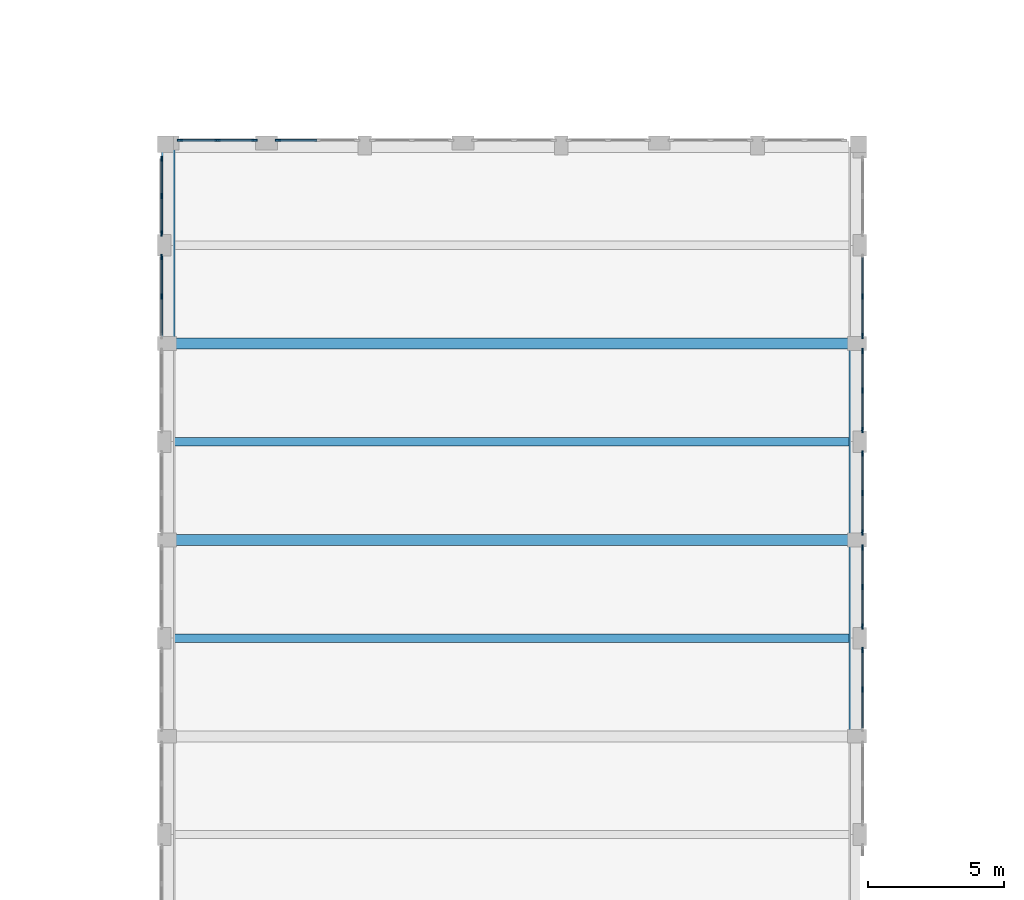
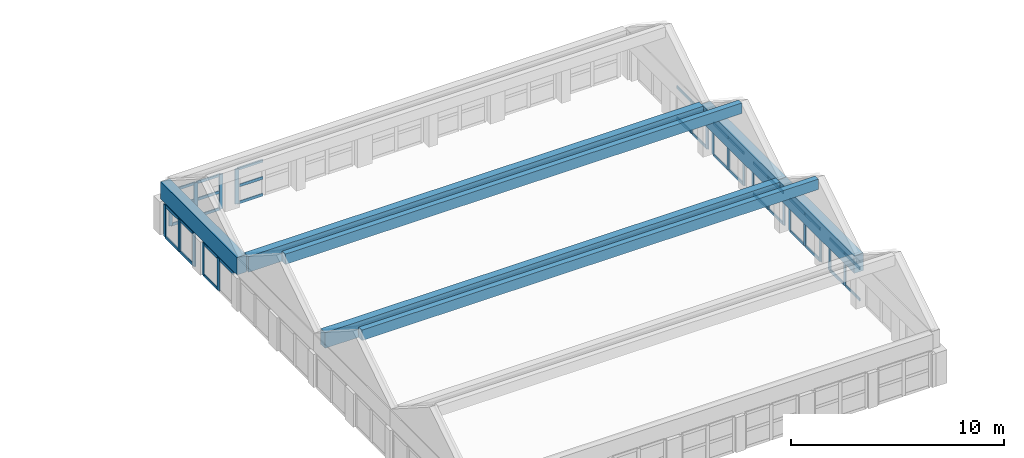
# One storey, part 4 of 38: 58 members, 7 beams, 9 elements without a shape of their own.
"""IFC4 building model written with IfcOpenShell, lengths in metres."""

import ifcopenshell
import ifcopenshell.guid

model = None  # the IFC model being written
_history = None  # IfcOwnerHistory: only IFC2X3 demands one
_inside = {}  # id of a spatial element -> (the spatial element, [elements in it])
_under = {}  # id of a project, library or spatial element -> (it, [spatial elements below it])
_declared = {}  # id of a project -> (the project, [libraries it declares])
_typed = {}  # id of a type object -> (the type object, [elements of that type])
_made_of = {}  # id of a material, layer set ... -> (it, [elements and type objects made of it])


def new_model(schema):
    """Start an empty IFC model of exactly this schema.

    Asked for "IFC4X3", IfcOpenShell would pick the latest addendum, in which some entities
    have other attributes; the version numbers below select the first issue.
    IFC2X3 requires an IfcOwnerHistory on every rooted entity: one is made here for all.
    """
    global model, _history
    if schema == "IFC4X3":
        model = ifcopenshell.file(schema_version=(4, 3, 0, 0))
    else:
        model = ifcopenshell.file(schema=schema)
    _inside.clear()
    _under.clear()
    _declared.clear()
    _typed.clear()
    _made_of.clear()
    _history = None
    if model.schema == "IFC2X3":
        org = make("IfcOrganization", Name="unknown")
        user = make(
            "IfcPersonAndOrganization",
            ThePerson=make("IfcPerson", FamilyName="unknown"),
            TheOrganization=org,
        )
        app = make(
            "IfcApplication",
            ApplicationDeveloper=org,
            Version="unknown",
            ApplicationFullName="unknown",
            ApplicationIdentifier="unknown",
        )
        _history = make(
            "IfcOwnerHistory",
            OwningUser=user,
            OwningApplication=app,
            ChangeAction="ADDED",
            CreationDate=0,
        )
    return model


def make(cls, **values):
    """One entity of the class cls with the attributes given. An attribute that is None is left unset."""
    return model.create_entity(
        cls, **{name: value for name, value in values.items() if value is not None}
    )


def rooted(cls, **values):
    """An entity with a GlobalId (a new one), such as an element, a storey or a relation."""
    return make(cls, GlobalId=ifcopenshell.guid.new(), OwnerHistory=_history, **values)


def si_unit(unit_type, name, prefix=None):
    """IfcSIUnit, for example si_unit("LENGTHUNIT", "METRE", prefix="MILLI")."""
    return make("IfcSIUnit", UnitType=unit_type, Prefix=prefix, Name=name)


def assignment(units):
    """IfcUnitAssignment: the units of a project."""
    return None if units is None else make("IfcUnitAssignment", Units=units)


def point(xyz):
    """IfcCartesianPoint."""
    return None if xyz is None else make("IfcCartesianPoint", Coordinates=xyz)


def direction(xyz):
    """IfcDirection."""
    return None if xyz is None else make("IfcDirection", DirectionRatios=xyz)


def frame(location, z_axis=None, x_axis=None):
    """IfcAxis2Placement3D, a coordinate frame: its origin and axes. An axis left out is left unset."""
    return make(
        "IfcAxis2Placement3D",
        Location=point(location),
        Axis=direction(z_axis),
        RefDirection=direction(x_axis),
    )


def frame_2d(location, x_axis=None):
    """IfcAxis2Placement2D, a coordinate frame in the plane: its origin and x axis."""
    return make(
        "IfcAxis2Placement2D", Location=point(location), RefDirection=direction(x_axis)
    )


def origin():
    """The frame at (0, 0, 0) with its axes left unset."""
    return frame((0.0, 0.0, 0.0))


def origin_2d():
    """The frame at (0, 0) in the plane with its x axis left unset."""
    return frame_2d((0.0, 0.0))


def place(relative_to, where):
    """IfcLocalPlacement: puts the frame where relative to a parent placement (None: the world)."""
    return make(
        "IfcLocalPlacement", PlacementRelTo=relative_to, RelativePlacement=where
    )


def context(
    kind, dimensions, precision=None, world=None, true_north=None, identifier=None
):
    """IfcGeometricRepresentationContext, for example the 3D "Model" context."""
    return make(
        "IfcGeometricRepresentationContext",
        ContextIdentifier=identifier,
        ContextType=kind,
        CoordinateSpaceDimension=dimensions,
        Precision=precision,
        WorldCoordinateSystem=world,
        TrueNorth=true_north,
    )


def subcontext(parent, identifier, kind, view, scale=None):
    """IfcGeometricRepresentationSubContext, for example "Body" below "Model"."""
    return make(
        "IfcGeometricRepresentationSubContext",
        ContextIdentifier=identifier,
        ContextType=kind,
        ParentContext=parent,
        TargetScale=scale,
        TargetView=view,
    )


def project(units=None, contexts=None):
    """IfcProject with its units and contexts."""
    return rooted(
        "IfcProject",
        Name="project",
        RepresentationContexts=contexts,
        UnitsInContext=assignment(units),
    )


def spatial(cls, under=None, at=None, **own):
    """A site, building, storey or space (cls), placed at a placement, below another one or the project."""
    s = rooted(cls, ObjectPlacement=at, **own)
    if under is not None:
        _under.setdefault(under.id(), (under, []))[1].append(s)
    return s


def profile(cls, at=None, kind="AREA", **sizes):
    """A parametric profile (cls). Its sizes go by their IFC names, for example OverallWidth=200.0."""
    return make(cls, ProfileType=kind, Position=at, **sizes)


def rectangle(**sizes):
    """IfcRectangleProfileDef."""
    return profile("IfcRectangleProfileDef", **sizes)


def extrude(swept, where, along, depth):
    """IfcExtrudedAreaSolid: the profile swept, set in the frame where, extruded along a direction by depth."""
    return make(
        "IfcExtrudedAreaSolid",
        SweptArea=swept,
        Position=where,
        ExtrudedDirection=direction(along),
        Depth=depth,
    )


def shape(context_of_items, identifier, shape_type, items):
    """IfcShapeRepresentation: the items that make up one representation, for example the "Body"."""
    return make(
        "IfcShapeRepresentation",
        ContextOfItems=context_of_items,
        RepresentationIdentifier=identifier,
        RepresentationType=shape_type,
        Items=items,
    )


def material(Name=None, Category=None):
    """IfcMaterial."""
    return make("IfcMaterial", Name=Name, Category=Category)


def layer(
    of_material, thickness, ventilated=None, Name=None, Category=None, Priority=None
):
    """IfcMaterialLayer: one layer of a wall or slab, of a material (None: an air gap)."""
    return make(
        "IfcMaterialLayer",
        Material=of_material,
        LayerThickness=thickness,
        IsVentilated=ventilated,
        Name=Name,
        Category=Category,
        Priority=Priority,
    )


def layer_set(layers, Name=None):
    """IfcMaterialLayerSet."""
    return make("IfcMaterialLayerSet", MaterialLayers=layers, LayerSetName=Name)


def material_profile(
    of_material, cross_section, Name=None, Category=None, Priority=None
):
    """IfcMaterialProfile: a cross section and its material."""
    return make(
        "IfcMaterialProfile",
        Name=Name,
        Material=of_material,
        Profile=cross_section,
        Priority=Priority,
        Category=Category,
    )


def profile_set(profiles, Name=None, composite=None):
    """IfcMaterialProfileSet."""
    return make(
        "IfcMaterialProfileSet",
        Name=Name,
        MaterialProfiles=profiles,
        CompositeProfile=composite,
    )


def made_of(thing, what):
    """Note that an element or type object is made of a material, layer set ...; save() writes the relation."""
    if what is not None:
        _made_of.setdefault(what.id(), (what, []))[1].append(thing)
    return thing


def type_object(cls, material=None, **own):
    """A type object (cls), such as IfcWallType, which elements share."""
    return made_of(rooted(cls, **own), material)


def element(
    cls,
    number,
    at=None,
    inside=None,
    cuts=None,
    type_object=None,
    material=None,
    context=None,
    identifier="Body",
    shape_type=None,
    held_by="IfcProductDefinitionShape",
    body=None,
    shapes=None,
    **own,
):
    """One element of the class cls, such as IfcWall. Its Tag is "e" and its number.

    at: its placement. inside: the storey or other place that contains it. cuts: it is an
    opening in that element (IfcRelVoidsElement). A single representation is given by context,
    identifier, shape_type and body (its items); several are given by shapes. held_by: the class
    of the entity that holds the representations. save() writes the other relations.
    """
    e = rooted(cls, Tag="e%d" % number, ObjectPlacement=at, **own)
    if body is not None:
        shapes = [shape(context, identifier, shape_type, body)]
    if shapes is not None:
        e.Representation = make(held_by, Representations=shapes)
    if inside is not None:
        _inside.setdefault(inside.id(), (inside, []))[1].append(e)
    if cuts is not None:
        rooted(
            "IfcRelVoidsElement", RelatingBuildingElement=cuts, RelatedOpeningElement=e
        )
    if type_object is not None:
        _typed.setdefault(type_object.id(), (type_object, []))[1].append(e)
    return made_of(e, material)


def aggregate(whole, parts):
    """IfcRelAggregates: a whole, such as a stair, and the parts it consists of."""
    return rooted("IfcRelAggregates", RelatingObject=whole, RelatedObjects=parts)


def save(model, path):
    """Write the relations noted so far, then the file.

    IfcRelAggregates (storeys below a building ...), IfcRelContainedInSpatialStructure (elements
    in a storey), IfcRelDefinesByType, IfcRelAssociatesMaterial and IfcRelDeclares: one each for
    every whole, place, type object, material and project.
    """
    for whole, parts in _under.values():
        aggregate(whole, parts)
    for where, things in _inside.values():
        rooted(
            "IfcRelContainedInSpatialStructure",
            RelatedElements=things,
            RelatingStructure=where,
        )
    for kind, things in _typed.values():
        rooted("IfcRelDefinesByType", RelatedObjects=things, RelatingType=kind)
    for what, things in _made_of.values():
        rooted("IfcRelAssociatesMaterial", RelatedObjects=things, RelatingMaterial=what)
    for by, libraries in _declared.values():
        rooted("IfcRelDeclares", RelatingContext=by, RelatedDefinitions=libraries)
    model.write(path)


model = new_model("IFC4")

# Units and contexts
model_context = context("Model", 3, precision=1e-05, world=origin(), true_north=direction((0.0, 1.0)))
body_context = subcontext(model_context, "Body", "Model", "MODEL_VIEW")
ifc_project = project(units=[si_unit("LENGTHUNIT", "METRE"), si_unit("AREAUNIT", "SQUARE_METRE"), si_unit("VOLUMEUNIT", "CUBIC_METRE"), si_unit("PLANEANGLEUNIT", "RADIAN"), si_unit("MASSUNIT", "GRAM", prefix="KILO")], contexts=[model_context])

# Site, building, storey
site_placement = place(None, origin())
site = spatial("IfcSite", under=ifc_project, at=site_placement, CompositionType="ELEMENT")
building_placement = place(site_placement, origin())
building = spatial("IfcBuilding", under=site, at=building_placement, Name="Ussher Court Research Institute", CompositionType="ELEMENT")
storey_placement = place(building_placement, frame((0.0, 0.0, 23.39990234375)))
storey = spatial("IfcBuildingStorey", under=building, at=storey_placement, Name="L05", CompositionType="ELEMENT", Elevation=23.39990234375)

# Curtain wall, members
ifc_material_1 = material(Name="Bronze anodised aluminium with low-e glass", Category="aluminium")
ifc_layer = layer(ifc_material_1, 0.159912109375)
ifc_layer_set = layer_set([ifc_layer], Name="Bronze anodised aluminium with low-e glass")
curtain_wall_type = type_object("IfcCurtainWallType", Name="Curtain wall atrium clerestory tall glazing", PredefinedType="NOTDEFINED", material=ifc_layer_set)
curtain_wall_1_placement = place(storey_placement, origin())
curtain_wall_1 = element("IfcCurtainWall", 1, at=curtain_wall_1_placement, inside=storey, type_object=curtain_wall_type, Name="Curtain wall CW3 L05", PredefinedType="NOTDEFINED")
ifc_material_2 = material(Name="Bronze anodised aluminium", Category="aluminium")
ifc_material_profile_1 = material_profile(ifc_material_2, rectangle(XDim=0.06005859375, YDim=0.199951171875, at=origin_2d()), Name="Mullion 60x200")
ifc_profile_set_1 = profile_set([ifc_material_profile_1], Name="Bronze anodised aluminium")
member_type_1 = type_object("IfcMemberType", Name="Mullion 60x200", PredefinedType="MULLION", material=ifc_profile_set_1)
member_1_placement = place(storey_placement, frame((64.449951171875, 34.52490234375, 0.0), z_axis=(0.0, 0.0, 1.0), x_axis=(1.0, 0.0, 0.0)))
member_1 = element("IfcMember", 2, at=member_1_placement, type_object=member_type_1, Name="CW3 mullion 2", PredefinedType="MULLION", context=body_context, shape_type="SweptSolid", body=[
    extrude(rectangle(XDim=0.06005859375, YDim=0.199951171875, at=origin_2d()), origin(), (0.0, 0.0, 1.0), 1.85009765625),
])
member_2_placement = place(storey_placement, frame((64.449951171875, 33.080078125, 0.0), z_axis=(0.0, 0.0, 1.0), x_axis=(1.0, 0.0, 0.0)))
member_2 = element("IfcMember", 3, at=member_2_placement, type_object=member_type_1, Name="CW3 mullion 3", PredefinedType="MULLION", context=body_context, shape_type="SweptSolid", body=[
    extrude(rectangle(XDim=0.06005859375, YDim=0.199951171875, at=origin_2d()), origin(), (0.0, 0.0, 1.0), 1.85009765625),
])

curtain_wall_2_placement = place(storey_placement, origin())
curtain_wall_2 = element("IfcCurtainWall", 4, at=curtain_wall_2_placement, inside=storey, type_object=curtain_wall_type, Name="Curtain wall CW3 L05", PredefinedType="NOTDEFINED")
member_3_placement = place(storey_placement, frame((64.449951171875, 32.52001953125, 0.0), z_axis=(0.0, 0.0, 1.0), x_axis=(1.0, 0.0, 0.0)))
member_3 = element("IfcMember", 5, at=member_3_placement, type_object=member_type_1, Name="CW3 mullion 1", PredefinedType="MULLION", context=body_context, shape_type="SweptSolid", body=[
    extrude(rectangle(XDim=0.06005859375, YDim=0.199951171875, at=origin_2d()), origin(), (0.0, 0.0, 1.0), 1.85009765625),
])
member_4_placement = place(storey_placement, frame((64.449951171875, 31.074951171875, 0.0), z_axis=(0.0, 0.0, 1.0), x_axis=(1.0, 0.0, 0.0)))
member_4 = element("IfcMember", 6, at=member_4_placement, type_object=member_type_1, Name="CW3 mullion 2", PredefinedType="MULLION", context=body_context, shape_type="SweptSolid", body=[
    extrude(rectangle(XDim=0.06005859375, YDim=0.199951171875, at=origin_2d()), origin(), (0.0, 0.0, 1.0), 1.85009765625),
])
member_5_placement = place(storey_placement, frame((64.449951171875, 29.6298828125, 0.0), z_axis=(0.0, 0.0, 1.0), x_axis=(1.0, 0.0, 0.0)))
member_5 = element("IfcMember", 7, at=member_5_placement, type_object=member_type_1, Name="CW3 mullion 3", PredefinedType="MULLION", context=body_context, shape_type="SweptSolid", body=[
    extrude(rectangle(XDim=0.06005859375, YDim=0.199951171875, at=origin_2d()), origin(), (0.0, 0.0, 1.0), 1.85009765625),
])

curtain_wall_3_placement = place(storey_placement, origin())
curtain_wall_3 = element("IfcCurtainWall", 8, at=curtain_wall_3_placement, inside=storey, type_object=curtain_wall_type, Name="Curtain wall CW3 L05", PredefinedType="NOTDEFINED")
member_6_placement = place(storey_placement, frame((64.449951171875, 28.77001953125, 0.0), z_axis=(0.0, 0.0, 1.0), x_axis=(1.0, 0.0, 0.0)))
member_6 = element("IfcMember", 9, at=member_6_placement, type_object=member_type_1, Name="CW3 mullion 1", PredefinedType="MULLION", context=body_context, shape_type="SweptSolid", body=[
    extrude(rectangle(XDim=0.06005859375, YDim=0.199951171875, at=origin_2d()), origin(), (0.0, 0.0, 1.0), 1.85009765625),
])
member_7_placement = place(storey_placement, frame((64.449951171875, 27.324951171875, 0.0), z_axis=(0.0, 0.0, 1.0), x_axis=(1.0, 0.0, 0.0)))
member_7 = element("IfcMember", 10, at=member_7_placement, type_object=member_type_1, Name="CW3 mullion 2", PredefinedType="MULLION", context=body_context, shape_type="SweptSolid", body=[
    extrude(rectangle(XDim=0.06005859375, YDim=0.199951171875, at=origin_2d()), origin(), (0.0, 0.0, 1.0), 1.85009765625),
])
member_8_placement = place(storey_placement, frame((64.449951171875, 25.8798828125, 0.0), z_axis=(0.0, 0.0, 1.0), x_axis=(1.0, 0.0, 0.0)))
member_8 = element("IfcMember", 11, at=member_8_placement, type_object=member_type_1, Name="CW3 mullion 3", PredefinedType="MULLION", context=body_context, shape_type="SweptSolid", body=[
    extrude(rectangle(XDim=0.06005859375, YDim=0.199951171875, at=origin_2d()), origin(), (0.0, 0.0, 1.0), 1.85009765625),
])

curtain_wall_4_placement = place(storey_placement, origin())
curtain_wall_4 = element("IfcCurtainWall", 12, at=curtain_wall_4_placement, inside=storey, type_object=curtain_wall_type, Name="Curtain wall CW3 L05", PredefinedType="NOTDEFINED")
member_9_placement = place(storey_placement, frame((64.449951171875, 25.320068359375, 0.0), z_axis=(0.0, 0.0, 1.0), x_axis=(1.0, 0.0, 0.0)))
member_9 = element("IfcMember", 13, at=member_9_placement, type_object=member_type_1, Name="CW3 mullion 1", PredefinedType="MULLION", context=body_context, shape_type="SweptSolid", body=[
    extrude(rectangle(XDim=0.06005859375, YDim=0.199951171875, at=origin_2d()), origin(), (0.0, 0.0, 1.0), 1.85009765625),
])
member_10_placement = place(storey_placement, frame((64.449951171875, 23.875, 0.0), z_axis=(0.0, 0.0, 1.0), x_axis=(1.0, 0.0, 0.0)))
member_10 = element("IfcMember", 14, at=member_10_placement, type_object=member_type_1, Name="CW3 mullion 2", PredefinedType="MULLION", context=body_context, shape_type="SweptSolid", body=[
    extrude(rectangle(XDim=0.06005859375, YDim=0.199951171875, at=origin_2d()), origin(), (0.0, 0.0, 1.0), 1.85009765625),
])
member_11_placement = place(storey_placement, frame((64.449951171875, 22.429931640625, 0.0), z_axis=(0.0, 0.0, 1.0), x_axis=(1.0, 0.0, 0.0)))
member_11 = element("IfcMember", 15, at=member_11_placement, type_object=member_type_1, Name="CW3 mullion 3", PredefinedType="MULLION", context=body_context, shape_type="SweptSolid", body=[
    extrude(rectangle(XDim=0.06005859375, YDim=0.199951171875, at=origin_2d()), origin(), (0.0, 0.0, 1.0), 1.85009765625),
])

curtain_wall_5_placement = place(storey_placement, origin())
curtain_wall_5 = element("IfcCurtainWall", 16, at=curtain_wall_5_placement, inside=storey, type_object=curtain_wall_type, Name="Curtain wall CW3 L05", PredefinedType="NOTDEFINED")
member_12_placement = place(storey_placement, frame((64.449951171875, 21.570068359375, 0.0), z_axis=(0.0, 0.0, 1.0), x_axis=(1.0, 0.0, 0.0)))
member_12 = element("IfcMember", 17, at=member_12_placement, type_object=member_type_1, Name="CW3 mullion 1", PredefinedType="MULLION", context=body_context, shape_type="SweptSolid", body=[
    extrude(rectangle(XDim=0.06005859375, YDim=0.199951171875, at=origin_2d()), origin(), (0.0, 0.0, 1.0), 1.85009765625),
])
member_13_placement = place(storey_placement, frame((64.449951171875, 20.125, 0.0), z_axis=(0.0, 0.0, 1.0), x_axis=(1.0, 0.0, 0.0)))
member_13 = element("IfcMember", 18, at=member_13_placement, type_object=member_type_1, Name="CW3 mullion 2", PredefinedType="MULLION", context=body_context, shape_type="SweptSolid", body=[
    extrude(rectangle(XDim=0.06005859375, YDim=0.199951171875, at=origin_2d()), origin(), (0.0, 0.0, 1.0), 1.85009765625),
])

curtain_wall_6_placement = place(storey_placement, origin())
curtain_wall_6 = element("IfcCurtainWall", 19, at=curtain_wall_6_placement, inside=storey, type_object=curtain_wall_type, Name="Curtain wall CW3 L05", PredefinedType="NOTDEFINED")
member_14_placement = place(storey_placement, frame((38.75, 34.52490234375, 0.0), z_axis=(0.0, 0.0, 1.0), x_axis=(-1.0, 0.0, 0.0)))
member_14 = element("IfcMember", 20, at=member_14_placement, type_object=member_type_1, Name="CW3 mullion 2", PredefinedType="MULLION", context=body_context, shape_type="SweptSolid", body=[
    extrude(rectangle(XDim=0.06005859375, YDim=0.199951171875, at=origin_2d()), origin(), (0.0, 0.0, 1.0), 1.85009765625),
])
member_15_placement = place(storey_placement, frame((38.75, 35.969970703125, 0.0), z_axis=(0.0, 0.0, 1.0), x_axis=(-1.0, 0.0, 0.0)))
member_15 = element("IfcMember", 21, at=member_15_placement, type_object=member_type_1, Name="CW3 mullion 3", PredefinedType="MULLION", context=body_context, shape_type="SweptSolid", body=[
    extrude(rectangle(XDim=0.06005859375, YDim=0.199951171875, at=origin_2d()), origin(), (0.0, 0.0, 1.0), 1.85009765625),
])

curtain_wall_7_placement = place(storey_placement, origin())
curtain_wall_7 = element("IfcCurtainWall", 22, at=curtain_wall_7_placement, inside=storey, type_object=curtain_wall_type, Name="Curtain wall CW3 L05", PredefinedType="NOTDEFINED")
member_16_placement = place(storey_placement, frame((38.75, 36.830078125, 0.0), z_axis=(0.0, 0.0, 1.0), x_axis=(-1.0, 0.0, 0.0)))
member_16 = element("IfcMember", 23, at=member_16_placement, type_object=member_type_1, Name="CW3 mullion 1", PredefinedType="MULLION", context=body_context, shape_type="SweptSolid", body=[
    extrude(rectangle(XDim=0.06005859375, YDim=0.199951171875, at=origin_2d()), origin(), (0.0, 0.0, 1.0), 1.85009765625),
])
member_17_placement = place(storey_placement, frame((38.75, 38.199951171875, 0.0), z_axis=(0.0, 0.0, 1.0), x_axis=(-1.0, 0.0, 0.0)))
member_17 = element("IfcMember", 24, at=member_17_placement, type_object=member_type_1, Name="CW3 mullion 2", PredefinedType="MULLION", context=body_context, shape_type="SweptSolid", body=[
    extrude(rectangle(XDim=0.06005859375, YDim=0.199951171875, at=origin_2d()), origin(), (0.0, 0.0, 1.0), 1.85009765625),
])
member_18_placement = place(storey_placement, frame((38.75, 39.570068359375, 0.0), z_axis=(0.0, 0.0, 1.0), x_axis=(-1.0, 0.0, 0.0)))
member_18 = element("IfcMember", 25, at=member_18_placement, type_object=member_type_1, Name="CW3 mullion 3", PredefinedType="MULLION", context=body_context, shape_type="SweptSolid", body=[
    extrude(rectangle(XDim=0.06005859375, YDim=0.199951171875, at=origin_2d()), origin(), (0.0, 0.0, 1.0), 1.85009765625),
])

curtain_wall_8_placement = place(storey_placement, origin())
curtain_wall_8 = element("IfcCurtainWall", 26, at=curtain_wall_8_placement, inside=storey, type_object=curtain_wall_type, Name="Curtain wall CW3 L05", PredefinedType="NOTDEFINED")
member_19_placement = place(storey_placement, frame((39.429931640625, 40.25, 0.0), z_axis=(0.0, 0.0, 1.0), x_axis=(0.0, 1.0, 0.0)))
member_19 = element("IfcMember", 27, at=member_19_placement, type_object=member_type_1, Name="CW3 mullion 1", PredefinedType="MULLION", context=body_context, shape_type="SweptSolid", body=[
    extrude(rectangle(XDim=0.06005859375, YDim=0.199951171875, at=origin_2d()), origin(), (0.0, 0.0, 1.0), 2.0),
])
member_20_placement = place(storey_placement, frame((40.800048828125, 40.25, 0.0), z_axis=(0.0, 0.0, 1.0), x_axis=(0.0, 1.0, 0.0)))
member_20 = element("IfcMember", 28, at=member_20_placement, type_object=member_type_1, Name="CW3 mullion 2", PredefinedType="MULLION", context=body_context, shape_type="SweptSolid", body=[
    extrude(rectangle(XDim=0.06005859375, YDim=0.199951171875, at=origin_2d()), origin(), (0.0, 0.0, 1.0), 2.0),
])
member_21_placement = place(storey_placement, frame((42.169921875, 40.25, 0.0), z_axis=(0.0, 0.0, 1.0), x_axis=(0.0, 1.0, 0.0)))
member_21 = element("IfcMember", 29, at=member_21_placement, type_object=member_type_1, Name="CW3 mullion 3", PredefinedType="MULLION", context=body_context, shape_type="SweptSolid", body=[
    extrude(rectangle(XDim=0.06005859375, YDim=0.199951171875, at=origin_2d()), origin(), (0.0, 0.0, 1.0), 2.0),
])

# Curtain wall, member
curtain_wall_9_placement = place(storey_placement, origin())
curtain_wall_9 = element("IfcCurtainWall", 30, at=curtain_wall_9_placement, inside=storey, type_object=curtain_wall_type, Name="Curtain wall CW3 L05", PredefinedType="NOTDEFINED")
member_22_placement = place(storey_placement, frame((43.030029296875, 40.25, 0.0), z_axis=(0.0, 0.0, 1.0), x_axis=(0.0, 1.0, 0.0)))
member_22 = element("IfcMember", 31, at=member_22_placement, type_object=member_type_1, Name="CW3 mullion 1", PredefinedType="MULLION", context=body_context, shape_type="SweptSolid", body=[
    extrude(rectangle(XDim=0.06005859375, YDim=0.199951171875, at=origin_2d()), origin(), (0.0, 0.0, 1.0), 2.0),
])

# Beams
ifc_material_3 = material(Name="Concrete C35/45", Category="concrete")
ifc_material_profile_2 = material_profile(ifc_material_3, rectangle(XDim=0.300048828125, YDim=0.60009765625, at=origin_2d()), Name="RC 300x600")
ifc_profile_set_2 = profile_set([ifc_material_profile_2], Name="Concrete C35/45")
beam_type_1 = type_object("IfcBeamType", Name="RC 300x600 beam", PredefinedType="BEAM", material=ifc_profile_set_2)
for number, where, z_axis, x_axis, name in (
    (32, (39.199951171875, 22.0, 4.919677734375), (1.0, 0.0, 0.0), (0.0, 1.0, 0.0), "B3 V2 L05-02"),
    (33, (39.199951171875, 29.199951171875, 4.919677734375), (1.0, 0.0, 0.0), (0.0, 1.0, 0.0), "B3 V2 L05-03"),
):
    element("IfcBeam", number, at=place(storey_placement, frame(where, z_axis=z_axis, x_axis=x_axis)), inside=storey, type_object=beam_type_1, Name=name, PredefinedType="BEAM", context=body_context, shape_type="SweptSolid", body=[
        extrude(rectangle(XDim=0.300048828125, YDim=0.60009765625, at=origin_2d()), origin(), (0.0, 0.0, 1.0), 24.800048828125),
    ])
ifc_material_4 = material(Name="Concrete C35/45", Category="concrete")
ifc_material_profile_3 = material_profile(ifc_material_4, rectangle(XDim=0.39990234375, YDim=0.89990234375, at=origin_2d()), Name="RC 400x900")
ifc_profile_set_3 = profile_set([ifc_material_profile_3], Name="Concrete C35/45")
beam_type_2 = type_object("IfcBeamType", Name="RC 400x900 beam", PredefinedType="BEAM", material=ifc_profile_set_3)
for number, where, z_axis, x_axis, name in (
    (34, (39.25, 25.60009765625, 2.455322265625), (1.0, 0.0, 0.0), (0.0, 1.0, 0.0), "B8 V2 L05-03"),
    (35, (39.25, 32.800048828125, 2.455322265625), (1.0, 0.0, 0.0), (0.0, 1.0, 0.0), "B8 V2 L05-04"),
):
    element("IfcBeam", number, at=place(storey_placement, frame(where, z_axis=z_axis, x_axis=x_axis)), inside=storey, type_object=beam_type_2, Name=name, PredefinedType="BEAM", context=body_context, shape_type="SweptSolid", body=[
        extrude(rectangle(XDim=0.39990234375, YDim=0.89990234375, at=origin_2d()), origin(), (0.0, 0.0, 1.0), 24.699951171875),
    ])
ifc_material_5 = material(Name="Concrete C35/45", Category="concrete")
ifc_material_profile_4 = material_profile(ifc_material_5, rectangle(XDim=0.5, YDim=1.0, at=origin_2d()), Name="RC 500x1000")
ifc_profile_set_4 = profile_set([ifc_material_profile_4], Name="Concrete C35/45")
beam_type_3 = type_object("IfcBeamType", Name="RC 500x1000 beam", PredefinedType="BEAM", material=ifc_profile_set_4)
beam_1_placement = place(storey_placement, frame((39.0, 32.800048828125, 2.4052734375), z_axis=(0.0, 1.0, 0.0), x_axis=(-1.0, 0.0, 0.0)))
element("IfcBeam", 36, at=beam_1_placement, inside=storey, type_object=beam_type_3, Name="B12 V2 L05-04", PredefinedType="BEAM", context=body_context, shape_type="SweptSolid", body=[
    extrude(rectangle(XDim=0.5, YDim=1.0, at=origin_2d()), origin(), (0.0, 0.0, 1.0), 7.199951171875),
])
beam_2_placement = place(storey_placement, frame((64.199951171875, 18.39990234375, 2.4052734375), z_axis=(0.0, 1.0, 0.0), x_axis=(-1.0, 0.0, 0.0)))
element("IfcBeam", 37, at=beam_2_placement, inside=storey, type_object=beam_type_3, Name="B12 V2 L05-06", PredefinedType="BEAM", context=body_context, shape_type="SweptSolid", body=[
    extrude(rectangle(XDim=0.5, YDim=1.0, at=origin_2d()), origin(), (0.0, 0.0, 1.0), 7.2001953125),
])
beam_3_placement = place(storey_placement, frame((64.199951171875, 25.60009765625, 2.4052734375), z_axis=(0.0, 1.0, 0.0), x_axis=(-1.0, 0.0, 0.0)))
element("IfcBeam", 38, at=beam_3_placement, inside=storey, type_object=beam_type_3, Name="B12 V2 L05-07", PredefinedType="BEAM", context=body_context, shape_type="SweptSolid", body=[
    extrude(rectangle(XDim=0.5, YDim=1.0, at=origin_2d()), origin(), (0.0, 0.0, 1.0), 7.199951171875),
])

# Member
ifc_material_6 = material(Name="Bronze anodised aluminium", Category="aluminium")
ifc_material_profile_5 = material_profile(ifc_material_6, rectangle(XDim=0.06005859375, YDim=0.159912109375, at=origin_2d()), Name="Transom 60x160")
ifc_profile_set_5 = profile_set([ifc_material_profile_5], Name="Bronze anodised aluminium")
member_type_2 = type_object("IfcMemberType", Name="Transom 60x160", PredefinedType="USERDEFINED", material=ifc_profile_set_5)
member_23_placement = place(storey_placement, frame((64.449951171875, 35.93994140625, 0.030029296875), z_axis=(0.0, -1.0, 0.0), x_axis=(1.0, 0.0, 0.0)))
member_23 = element("IfcMember", 39, at=member_23_placement, type_object=member_type_2, Name="CW3 transom 1.1", ObjectType="TRANSOM", PredefinedType="USERDEFINED", context=body_context, shape_type="SweptSolid", body=[
    extrude(rectangle(XDim=0.06005859375, YDim=0.159912109375, at=origin_2d()), origin(), (0.0, 0.0, 1.0), 1.385009765625),
])

member_24_placement = place(storey_placement, frame((64.449951171875, 35.93994140625, 1.820068359375), z_axis=(0.0, -1.0, 0.0), x_axis=(1.0, 0.0, 0.0)))
member_24 = element("IfcMember", 40, at=member_24_placement, type_object=member_type_2, Name="CW3 transom 1.2", ObjectType="TRANSOM", PredefinedType="USERDEFINED", context=body_context, shape_type="SweptSolid", body=[
    extrude(rectangle(XDim=0.06005859375, YDim=0.159912109375, at=origin_2d()), origin(), (0.0, 0.0, 1.0), 1.385009765625),
])

member_25_placement = place(storey_placement, frame((64.449951171875, 34.4951171875, 0.030029296875), z_axis=(0.0, -1.0, 0.0), x_axis=(1.0, 0.0, 0.0)))
member_25 = element("IfcMember", 41, at=member_25_placement, type_object=member_type_2, Name="CW3 transom 2.1", ObjectType="TRANSOM", PredefinedType="USERDEFINED", context=body_context, shape_type="SweptSolid", body=[
    extrude(rectangle(XDim=0.06005859375, YDim=0.159912109375, at=origin_2d()), origin(), (0.0, 0.0, 1.0), 1.385009765625),
])

member_26_placement = place(storey_placement, frame((64.449951171875, 34.4951171875, 1.820068359375), z_axis=(0.0, -1.0, 0.0), x_axis=(1.0, 0.0, 0.0)))
member_26 = element("IfcMember", 42, at=member_26_placement, type_object=member_type_2, Name="CW3 transom 2.2", ObjectType="TRANSOM", PredefinedType="USERDEFINED", context=body_context, shape_type="SweptSolid", body=[
    extrude(rectangle(XDim=0.06005859375, YDim=0.159912109375, at=origin_2d()), origin(), (0.0, 0.0, 1.0), 1.385009765625),
])

aggregate(curtain_wall_1, [member_1, member_2, member_23, member_24, member_25, member_26])

member_27_placement = place(storey_placement, frame((64.449951171875, 32.489990234375, 0.030029296875), z_axis=(0.0, -1.0, 0.0), x_axis=(1.0, 0.0, 0.0)))
member_27 = element("IfcMember", 43, at=member_27_placement, type_object=member_type_2, Name="CW3 transom 1.1", ObjectType="TRANSOM", PredefinedType="USERDEFINED", context=body_context, shape_type="SweptSolid", body=[
    extrude(rectangle(XDim=0.06005859375, YDim=0.159912109375, at=origin_2d()), origin(), (0.0, 0.0, 1.0), 1.385009765625),
])

member_28_placement = place(storey_placement, frame((64.449951171875, 32.489990234375, 1.820068359375), z_axis=(0.0, -1.0, 0.0), x_axis=(1.0, 0.0, 0.0)))
member_28 = element("IfcMember", 44, at=member_28_placement, type_object=member_type_2, Name="CW3 transom 1.2", ObjectType="TRANSOM", PredefinedType="USERDEFINED", context=body_context, shape_type="SweptSolid", body=[
    extrude(rectangle(XDim=0.06005859375, YDim=0.159912109375, at=origin_2d()), origin(), (0.0, 0.0, 1.0), 1.385009765625),
])

member_29_placement = place(storey_placement, frame((64.449951171875, 31.044921875, 0.030029296875), z_axis=(0.0, -1.0, 0.0), x_axis=(1.0, 0.0, 0.0)))
member_29 = element("IfcMember", 45, at=member_29_placement, type_object=member_type_2, Name="CW3 transom 2.1", ObjectType="TRANSOM", PredefinedType="USERDEFINED", context=body_context, shape_type="SweptSolid", body=[
    extrude(rectangle(XDim=0.06005859375, YDim=0.159912109375, at=origin_2d()), origin(), (0.0, 0.0, 1.0), 1.385009765625),
])

member_30_placement = place(storey_placement, frame((64.449951171875, 31.044921875, 1.820068359375), z_axis=(0.0, -1.0, 0.0), x_axis=(1.0, 0.0, 0.0)))
member_30 = element("IfcMember", 46, at=member_30_placement, type_object=member_type_2, Name="CW3 transom 2.2", ObjectType="TRANSOM", PredefinedType="USERDEFINED", context=body_context, shape_type="SweptSolid", body=[
    extrude(rectangle(XDim=0.06005859375, YDim=0.159912109375, at=origin_2d()), origin(), (0.0, 0.0, 1.0), 1.385009765625),
])

aggregate(curtain_wall_2, [member_3, member_4, member_5, member_27, member_28, member_29, member_30])

member_31_placement = place(storey_placement, frame((64.449951171875, 28.739990234375, 0.030029296875), z_axis=(0.0, -1.0, 0.0), x_axis=(1.0, 0.0, 0.0)))
member_31 = element("IfcMember", 47, at=member_31_placement, type_object=member_type_2, Name="CW3 transom 1.1", ObjectType="TRANSOM", PredefinedType="USERDEFINED", context=body_context, shape_type="SweptSolid", body=[
    extrude(rectangle(XDim=0.06005859375, YDim=0.159912109375, at=origin_2d()), origin(), (0.0, 0.0, 1.0), 1.385009765625),
])

member_32_placement = place(storey_placement, frame((64.449951171875, 28.739990234375, 1.820068359375), z_axis=(0.0, -1.0, 0.0), x_axis=(1.0, 0.0, 0.0)))
member_32 = element("IfcMember", 48, at=member_32_placement, type_object=member_type_2, Name="CW3 transom 1.2", ObjectType="TRANSOM", PredefinedType="USERDEFINED", context=body_context, shape_type="SweptSolid", body=[
    extrude(rectangle(XDim=0.06005859375, YDim=0.159912109375, at=origin_2d()), origin(), (0.0, 0.0, 1.0), 1.385009765625),
])

member_33_placement = place(storey_placement, frame((64.449951171875, 27.294921875, 0.030029296875), z_axis=(0.0, -1.0, 0.0), x_axis=(1.0, 0.0, 0.0)))
member_33 = element("IfcMember", 49, at=member_33_placement, type_object=member_type_2, Name="CW3 transom 2.1", ObjectType="TRANSOM", PredefinedType="USERDEFINED", context=body_context, shape_type="SweptSolid", body=[
    extrude(rectangle(XDim=0.06005859375, YDim=0.159912109375, at=origin_2d()), origin(), (0.0, 0.0, 1.0), 1.385009765625),
])

member_34_placement = place(storey_placement, frame((64.449951171875, 27.294921875, 1.820068359375), z_axis=(0.0, -1.0, 0.0), x_axis=(1.0, 0.0, 0.0)))
member_34 = element("IfcMember", 50, at=member_34_placement, type_object=member_type_2, Name="CW3 transom 2.2", ObjectType="TRANSOM", PredefinedType="USERDEFINED", context=body_context, shape_type="SweptSolid", body=[
    extrude(rectangle(XDim=0.06005859375, YDim=0.159912109375, at=origin_2d()), origin(), (0.0, 0.0, 1.0), 1.385009765625),
])

aggregate(curtain_wall_3, [member_6, member_7, member_8, member_31, member_32, member_33, member_34])

member_35_placement = place(storey_placement, frame((64.449951171875, 25.2900390625, 0.030029296875), z_axis=(0.0, -1.0, 0.0), x_axis=(1.0, 0.0, 0.0)))
member_35 = element("IfcMember", 51, at=member_35_placement, type_object=member_type_2, Name="CW3 transom 1.1", ObjectType="TRANSOM", PredefinedType="USERDEFINED", context=body_context, shape_type="SweptSolid", body=[
    extrude(rectangle(XDim=0.06005859375, YDim=0.159912109375, at=origin_2d()), origin(), (0.0, 0.0, 1.0), 1.385009765625),
])

member_36_placement = place(storey_placement, frame((64.449951171875, 25.2900390625, 1.820068359375), z_axis=(0.0, -1.0, 0.0), x_axis=(1.0, 0.0, 0.0)))
member_36 = element("IfcMember", 52, at=member_36_placement, type_object=member_type_2, Name="CW3 transom 1.2", ObjectType="TRANSOM", PredefinedType="USERDEFINED", context=body_context, shape_type="SweptSolid", body=[
    extrude(rectangle(XDim=0.06005859375, YDim=0.159912109375, at=origin_2d()), origin(), (0.0, 0.0, 1.0), 1.385009765625),
])

member_37_placement = place(storey_placement, frame((64.449951171875, 23.844970703125, 0.030029296875), z_axis=(0.0, -1.0, 0.0), x_axis=(1.0, 0.0, 0.0)))
member_37 = element("IfcMember", 53, at=member_37_placement, type_object=member_type_2, Name="CW3 transom 2.1", ObjectType="TRANSOM", PredefinedType="USERDEFINED", context=body_context, shape_type="SweptSolid", body=[
    extrude(rectangle(XDim=0.06005859375, YDim=0.159912109375, at=origin_2d()), origin(), (0.0, 0.0, 1.0), 1.385009765625),
])

member_38_placement = place(storey_placement, frame((64.449951171875, 23.844970703125, 1.820068359375), z_axis=(0.0, -1.0, 0.0), x_axis=(1.0, 0.0, 0.0)))
member_38 = element("IfcMember", 54, at=member_38_placement, type_object=member_type_2, Name="CW3 transom 2.2", ObjectType="TRANSOM", PredefinedType="USERDEFINED", context=body_context, shape_type="SweptSolid", body=[
    extrude(rectangle(XDim=0.06005859375, YDim=0.159912109375, at=origin_2d()), origin(), (0.0, 0.0, 1.0), 1.385009765625),
])

aggregate(curtain_wall_4, [member_9, member_10, member_11, member_35, member_36, member_37, member_38])

member_39_placement = place(storey_placement, frame((64.449951171875, 21.5400390625, 0.030029296875), z_axis=(0.0, -1.0, 0.0), x_axis=(1.0, 0.0, 0.0)))
member_39 = element("IfcMember", 55, at=member_39_placement, type_object=member_type_2, Name="CW3 transom 1.1", ObjectType="TRANSOM", PredefinedType="USERDEFINED", context=body_context, shape_type="SweptSolid", body=[
    extrude(rectangle(XDim=0.06005859375, YDim=0.159912109375, at=origin_2d()), origin(), (0.0, 0.0, 1.0), 1.385009765625),
])

member_40_placement = place(storey_placement, frame((64.449951171875, 21.5400390625, 1.820068359375), z_axis=(0.0, -1.0, 0.0), x_axis=(1.0, 0.0, 0.0)))
member_40 = element("IfcMember", 56, at=member_40_placement, type_object=member_type_2, Name="CW3 transom 1.2", ObjectType="TRANSOM", PredefinedType="USERDEFINED", context=body_context, shape_type="SweptSolid", body=[
    extrude(rectangle(XDim=0.06005859375, YDim=0.159912109375, at=origin_2d()), origin(), (0.0, 0.0, 1.0), 1.385009765625),
])

member_41_placement = place(storey_placement, frame((64.449951171875, 20.094970703125, 0.030029296875), z_axis=(0.0, -1.0, 0.0), x_axis=(1.0, 0.0, 0.0)))
member_41 = element("IfcMember", 57, at=member_41_placement, type_object=member_type_2, Name="CW3 transom 2.1", ObjectType="TRANSOM", PredefinedType="USERDEFINED", context=body_context, shape_type="SweptSolid", body=[
    extrude(rectangle(XDim=0.06005859375, YDim=0.159912109375, at=origin_2d()), origin(), (0.0, 0.0, 1.0), 1.385009765625),
])

member_42_placement = place(storey_placement, frame((64.449951171875, 20.094970703125, 1.820068359375), z_axis=(0.0, -1.0, 0.0), x_axis=(1.0, 0.0, 0.0)))
member_42 = element("IfcMember", 58, at=member_42_placement, type_object=member_type_2, Name="CW3 transom 2.2", ObjectType="TRANSOM", PredefinedType="USERDEFINED", context=body_context, shape_type="SweptSolid", body=[
    extrude(rectangle(XDim=0.06005859375, YDim=0.159912109375, at=origin_2d()), origin(), (0.0, 0.0, 1.0), 1.385009765625),
])

aggregate(curtain_wall_5, [member_12, member_13, member_39, member_40, member_41, member_42])

member_43_placement = place(storey_placement, frame((38.75, 33.110107421875, 1.820068359375), z_axis=(0.0, 1.0, 0.0), x_axis=(-1.0, 0.0, 0.0)))
member_43 = element("IfcMember", 59, at=member_43_placement, type_object=member_type_2, Name="CW3 transom 1.2", ObjectType="TRANSOM", PredefinedType="USERDEFINED", context=body_context, shape_type="SweptSolid", body=[
    extrude(rectangle(XDim=0.06005859375, YDim=0.159912109375, at=origin_2d()), origin(), (0.0, 0.0, 1.0), 1.385009765625),
])

member_44_placement = place(storey_placement, frame((38.75, 34.554931640625, 0.030029296875), z_axis=(0.0, 1.0, 0.0), x_axis=(-1.0, 0.0, 0.0)))
member_44 = element("IfcMember", 60, at=member_44_placement, type_object=member_type_2, Name="CW3 transom 2.1", ObjectType="TRANSOM", PredefinedType="USERDEFINED", context=body_context, shape_type="SweptSolid", body=[
    extrude(rectangle(XDim=0.06005859375, YDim=0.159912109375, at=origin_2d()), origin(), (0.0, 0.0, 1.0), 1.385009765625),
])

member_45_placement = place(storey_placement, frame((38.75, 34.554931640625, 1.820068359375), z_axis=(0.0, 1.0, 0.0), x_axis=(-1.0, 0.0, 0.0)))
member_45 = element("IfcMember", 61, at=member_45_placement, type_object=member_type_2, Name="CW3 transom 2.2", ObjectType="TRANSOM", PredefinedType="USERDEFINED", context=body_context, shape_type="SweptSolid", body=[
    extrude(rectangle(XDim=0.06005859375, YDim=0.159912109375, at=origin_2d()), origin(), (0.0, 0.0, 1.0), 1.385009765625),
])

aggregate(curtain_wall_6, [member_14, member_15, member_43, member_44, member_45])

member_46_placement = place(storey_placement, frame((38.75, 36.860107421875, 0.030029296875), z_axis=(0.0, 1.0, 0.0), x_axis=(-1.0, 0.0, 0.0)))
member_46 = element("IfcMember", 62, at=member_46_placement, type_object=member_type_2, Name="CW3 transom 1.1", ObjectType="TRANSOM", PredefinedType="USERDEFINED", context=body_context, shape_type="SweptSolid", body=[
    extrude(rectangle(XDim=0.06005859375, YDim=0.159912109375, at=origin_2d()), origin(), (0.0, 0.0, 1.0), 1.309814453125),
])

member_47_placement = place(storey_placement, frame((38.75, 36.860107421875, 1.820068359375), z_axis=(0.0, 1.0, 0.0), x_axis=(-1.0, 0.0, 0.0)))
member_47 = element("IfcMember", 63, at=member_47_placement, type_object=member_type_2, Name="CW3 transom 1.2", ObjectType="TRANSOM", PredefinedType="USERDEFINED", context=body_context, shape_type="SweptSolid", body=[
    extrude(rectangle(XDim=0.06005859375, YDim=0.159912109375, at=origin_2d()), origin(), (0.0, 0.0, 1.0), 1.309814453125),
])

member_48_placement = place(storey_placement, frame((38.75, 38.22998046875, 0.030029296875), z_axis=(0.0, 1.0, 0.0), x_axis=(-1.0, 0.0, 0.0)))
member_48 = element("IfcMember", 64, at=member_48_placement, type_object=member_type_2, Name="CW3 transom 2.1", ObjectType="TRANSOM", PredefinedType="USERDEFINED", context=body_context, shape_type="SweptSolid", body=[
    extrude(rectangle(XDim=0.06005859375, YDim=0.159912109375, at=origin_2d()), origin(), (0.0, 0.0, 1.0), 1.31005859375),
])

member_49_placement = place(storey_placement, frame((38.75, 38.22998046875, 1.820068359375), z_axis=(0.0, 1.0, 0.0), x_axis=(-1.0, 0.0, 0.0)))
member_49 = element("IfcMember", 65, at=member_49_placement, type_object=member_type_2, Name="CW3 transom 2.2", ObjectType="TRANSOM", PredefinedType="USERDEFINED", context=body_context, shape_type="SweptSolid", body=[
    extrude(rectangle(XDim=0.06005859375, YDim=0.159912109375, at=origin_2d()), origin(), (0.0, 0.0, 1.0), 1.31005859375),
])

aggregate(curtain_wall_7, [member_16, member_17, member_18, member_46, member_47, member_48, member_49])

member_50_placement = place(storey_placement, frame((39.4599609375, 40.25, 0.030029296875), z_axis=(1.0, 0.0, 0.0), x_axis=(0.0, 1.0, 0.0)))
member_50 = element("IfcMember", 66, at=member_50_placement, type_object=member_type_2, Name="CW3 transom 1.1", ObjectType="TRANSOM", PredefinedType="USERDEFINED", context=body_context, shape_type="SweptSolid", body=[
    extrude(rectangle(XDim=0.06005859375, YDim=0.159912109375, at=origin_2d()), origin(), (0.0, 0.0, 1.0), 1.31005859375),
])

member_51_placement = place(storey_placement, frame((39.4599609375, 40.25, 1.0), z_axis=(1.0, 0.0, 0.0), x_axis=(0.0, 1.0, 0.0)))
member_51 = element("IfcMember", 67, at=member_51_placement, type_object=member_type_2, Name="CW3 transom 1.2", ObjectType="TRANSOM", PredefinedType="USERDEFINED", context=body_context, shape_type="SweptSolid", body=[
    extrude(rectangle(XDim=0.06005859375, YDim=0.159912109375, at=origin_2d()), origin(), (0.0, 0.0, 1.0), 1.31005859375),
])

member_52_placement = place(storey_placement, frame((39.4599609375, 40.25, 1.97021484375), z_axis=(1.0, 0.0, 0.0), x_axis=(0.0, 1.0, 0.0)))
member_52 = element("IfcMember", 68, at=member_52_placement, type_object=member_type_2, Name="CW3 transom 1.3", ObjectType="TRANSOM", PredefinedType="USERDEFINED", context=body_context, shape_type="SweptSolid", body=[
    extrude(rectangle(XDim=0.06005859375, YDim=0.159912109375, at=origin_2d()), origin(), (0.0, 0.0, 1.0), 1.31005859375),
])

member_53_placement = place(storey_placement, frame((40.830078125, 40.25, 0.030029296875), z_axis=(1.0, 0.0, 0.0), x_axis=(0.0, 1.0, 0.0)))
member_53 = element("IfcMember", 69, at=member_53_placement, type_object=member_type_2, Name="CW3 transom 2.1", ObjectType="TRANSOM", PredefinedType="USERDEFINED", context=body_context, shape_type="SweptSolid", body=[
    extrude(rectangle(XDim=0.06005859375, YDim=0.159912109375, at=origin_2d()), origin(), (0.0, 0.0, 1.0), 1.309814453125),
])

member_54_placement = place(storey_placement, frame((40.830078125, 40.25, 1.0), z_axis=(1.0, 0.0, 0.0), x_axis=(0.0, 1.0, 0.0)))
member_54 = element("IfcMember", 70, at=member_54_placement, type_object=member_type_2, Name="CW3 transom 2.2", ObjectType="TRANSOM", PredefinedType="USERDEFINED", context=body_context, shape_type="SweptSolid", body=[
    extrude(rectangle(XDim=0.06005859375, YDim=0.159912109375, at=origin_2d()), origin(), (0.0, 0.0, 1.0), 1.309814453125),
])

member_55_placement = place(storey_placement, frame((40.830078125, 40.25, 1.97021484375), z_axis=(1.0, 0.0, 0.0), x_axis=(0.0, 1.0, 0.0)))
member_55 = element("IfcMember", 71, at=member_55_placement, type_object=member_type_2, Name="CW3 transom 2.3", ObjectType="TRANSOM", PredefinedType="USERDEFINED", context=body_context, shape_type="SweptSolid", body=[
    extrude(rectangle(XDim=0.06005859375, YDim=0.159912109375, at=origin_2d()), origin(), (0.0, 0.0, 1.0), 1.309814453125),
])

aggregate(curtain_wall_8, [member_19, member_20, member_21, member_50, member_51, member_52, member_53, member_54, member_55])

member_56_placement = place(storey_placement, frame((43.06005859375, 40.25, 0.030029296875), z_axis=(1.0, 0.0, 0.0), x_axis=(0.0, 1.0, 0.0)))
member_56 = element("IfcMember", 72, at=member_56_placement, type_object=member_type_2, Name="CW3 transom 1.1", ObjectType="TRANSOM", PredefinedType="USERDEFINED", context=body_context, shape_type="SweptSolid", body=[
    extrude(rectangle(XDim=0.06005859375, YDim=0.159912109375, at=origin_2d()), origin(), (0.0, 0.0, 1.0), 1.385009765625),
])

member_57_placement = place(storey_placement, frame((43.06005859375, 40.25, 1.0), z_axis=(1.0, 0.0, 0.0), x_axis=(0.0, 1.0, 0.0)))
member_57 = element("IfcMember", 73, at=member_57_placement, type_object=member_type_2, Name="CW3 transom 1.2", ObjectType="TRANSOM", PredefinedType="USERDEFINED", context=body_context, shape_type="SweptSolid", body=[
    extrude(rectangle(XDim=0.06005859375, YDim=0.159912109375, at=origin_2d()), origin(), (0.0, 0.0, 1.0), 1.385009765625),
])

member_58_placement = place(storey_placement, frame((43.06005859375, 40.25, 1.97021484375), z_axis=(1.0, 0.0, 0.0), x_axis=(0.0, 1.0, 0.0)))
member_58 = element("IfcMember", 74, at=member_58_placement, type_object=member_type_2, Name="CW3 transom 1.3", ObjectType="TRANSOM", PredefinedType="USERDEFINED", context=body_context, shape_type="SweptSolid", body=[
    extrude(rectangle(XDim=0.06005859375, YDim=0.159912109375, at=origin_2d()), origin(), (0.0, 0.0, 1.0), 1.385009765625),
])

aggregate(curtain_wall_9, [member_22, member_56, member_57, member_58])

save(model, "model.ifc")
